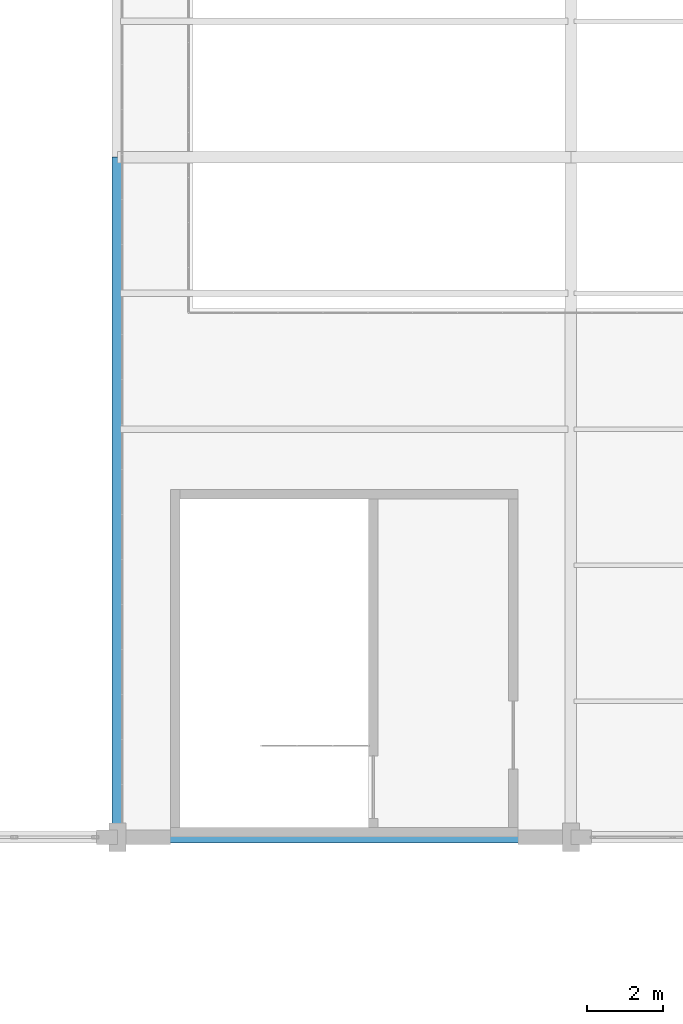
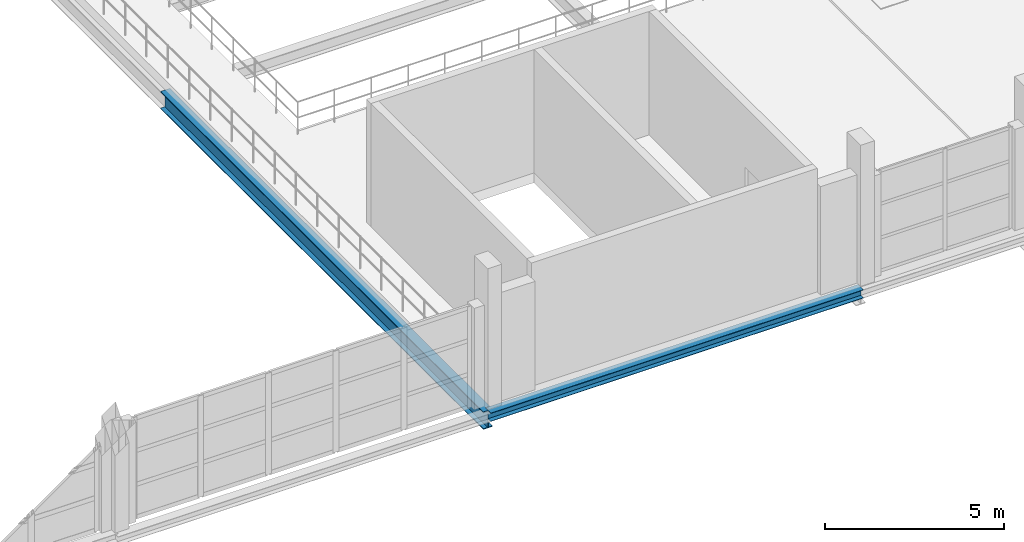
# One storey, part 30 of 86: 2 beams.
"""IFC4 building model written with IfcOpenShell, lengths in metres."""

from ifc_helpers import new_model, si_unit, direction, frame, origin, origin_2d, place, context, subcontext, project, spatial, i_section, extrude, material, material_profile, profile_set, type_object, element, save


model = new_model("IFC4")

# Units and contexts
model_context = context("Model", 3, precision=1e-05, world=origin(), true_north=direction((0.0, 1.0)))
body_context = subcontext(model_context, "Body", "Model", "MODEL_VIEW")
ifc_project = project(units=[si_unit("LENGTHUNIT", "METRE"), si_unit("AREAUNIT", "SQUARE_METRE"), si_unit("VOLUMEUNIT", "CUBIC_METRE"), si_unit("PLANEANGLEUNIT", "RADIAN"), si_unit("MASSUNIT", "GRAM", prefix="KILO")], contexts=[model_context])

# Site, building, storey
site_placement = place(None, origin())
site = spatial("IfcSite", under=ifc_project, at=site_placement, CompositionType="ELEMENT")
building_placement = place(site_placement, origin())
building = spatial("IfcBuilding", under=site, at=building_placement, Name="Zilviju Railside Exhibition Hall", CompositionType="ELEMENT")
storey_placement = place(building_placement, frame((0.0, 0.0, 12.60009765625)))
storey = spatial("IfcBuildingStorey", under=building, at=storey_placement, Name="L04", CompositionType="ELEMENT", Elevation=12.60009765625)

# Beams
ifc_material = material(Name="Steel S355J2", Category="steel")
ifc_material_profile_1 = material_profile(ifc_material, i_section(OverallWidth=0.300048828125, OverallDepth=0.2900390625, WebThickness=0.008544921875, FlangeThickness=0.013916015625, at=origin_2d()), Name="HEA 300")
ifc_profile_set_1 = profile_set([ifc_material_profile_1], Name="Steel S355J2")
beam_type_1 = type_object("IfcBeamType", Name="BM-HEA300", PredefinedType="SPANDREL", material=ifc_profile_set_1)
beam_1_placement = place(storey_placement, frame((156.0, 84.0, -0.47509765625), z_axis=(1.0, 0.0, 0.0), x_axis=(0.0, 1.0, 0.0)))
element("IfcBeam", 1, at=beam_1_placement, inside=storey, type_object=beam_type_1, Name="Primary Girder L04 Y=84.0 (156.0..168.0)", PredefinedType="SPANDREL", context=body_context, shape_type="SweptSolid", body=[
    extrude(i_section(OverallWidth=0.300048828125, OverallDepth=0.2900390625, WebThickness=0.008544921875, FlangeThickness=0.013916015625, at=origin_2d()), origin(), (0.0, 0.0, 1.0), 12.0),
])
ifc_material_profile_2 = material_profile(ifc_material, i_section(OverallWidth=0.300048828125, OverallDepth=0.60009765625, WebThickness=0.015380859375, FlangeThickness=0.030029296875, at=origin_2d()), Name="HEB 600")
ifc_profile_set_2 = profile_set([ifc_material_profile_2], Name="Steel S355J2")
beam_type_2 = type_object("IfcBeamType", Name="BM-HEB600", PredefinedType="BEAM", material=ifc_profile_set_2)
beam_2_placement = place(storey_placement, frame((156.0, 84.0, -0.630126953125), z_axis=(0.0, 1.0, 0.0), x_axis=(-1.0, 0.0, 0.0)))
element("IfcBeam", 2, at=beam_2_placement, inside=storey, type_object=beam_type_2, Name="Transverse Girder L04 X=156.0 (84.0..102.0)", PredefinedType="BEAM", context=body_context, shape_type="SweptSolid", body=[
    extrude(i_section(OverallWidth=0.300048828125, OverallDepth=0.60009765625, WebThickness=0.015380859375, FlangeThickness=0.030029296875, at=origin_2d()), origin(), (0.0, 0.0, 1.0), 18.0),
])

save(model, "model.ifc")
